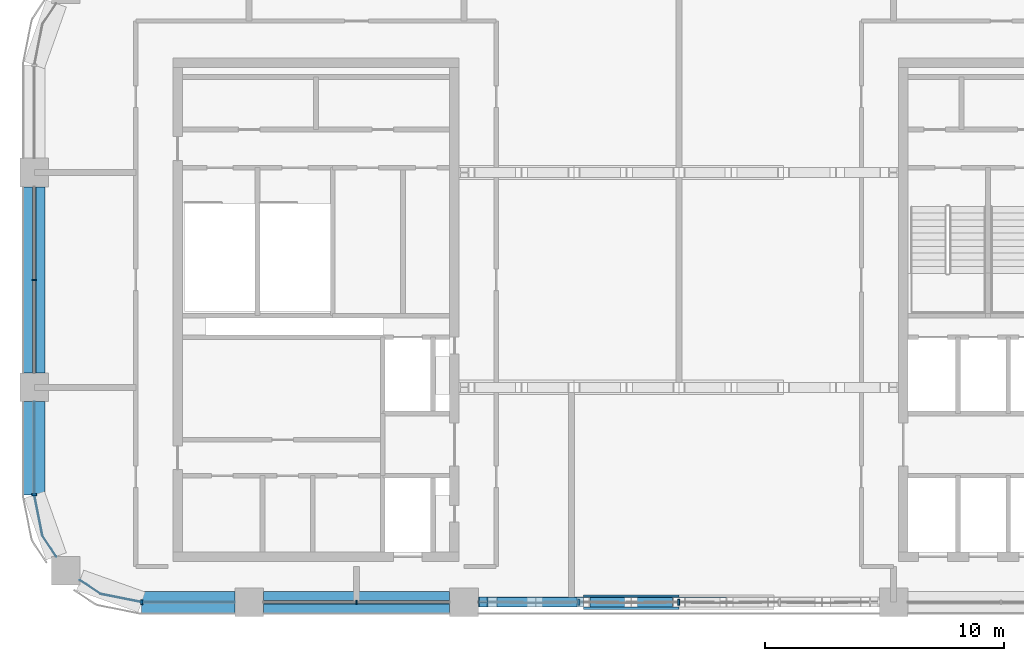
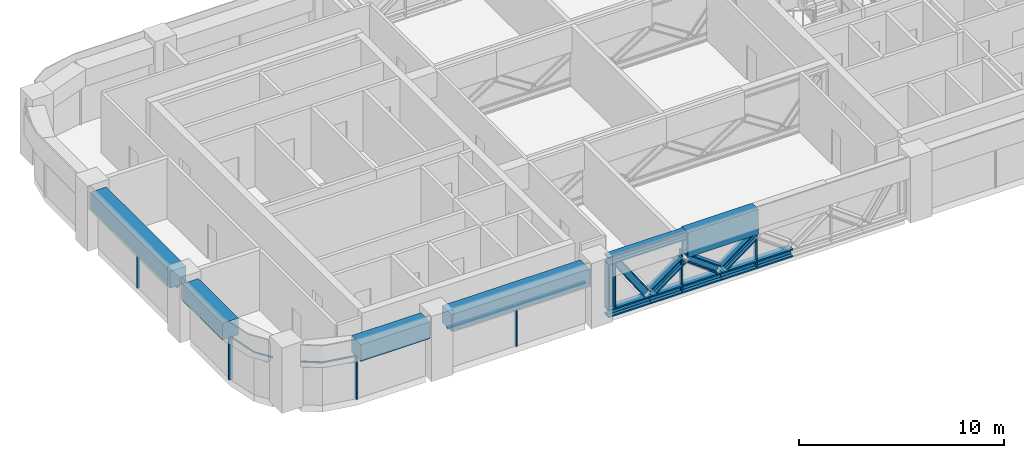
# One storey, part 2 of 12: 20 members, 4 beams, 5 elements without a shape of their own.
"""IFC4 building model written with IfcOpenShell, lengths in metres."""

from ifc_helpers import new_model, si_unit, direction, frame, origin, origin_2d, place, context, subcontext, project, spatial, polyline, rectangle, hollow_rectangle, i_section, outline, extrude, material, material_profile, profile_set, type_object, element, aggregate, save


model = new_model("IFC4")

# Units and contexts
model_context = context("Model", 3, precision=1e-05, world=origin(), true_north=direction((0.0, 1.0)))
body_context = subcontext(model_context, "Body", "Model", "MODEL_VIEW")
ifc_project = project(units=[si_unit("LENGTHUNIT", "METRE"), si_unit("AREAUNIT", "SQUARE_METRE"), si_unit("VOLUMEUNIT", "CUBIC_METRE"), si_unit("PLANEANGLEUNIT", "RADIAN"), si_unit("MASSUNIT", "GRAM", prefix="KILO")], contexts=[model_context])

# Site, building, storey
site_placement = place(None, origin())
site = spatial("IfcSite", under=ifc_project, at=site_placement, CompositionType="ELEMENT")
building_placement = place(site_placement, origin())
building = spatial("IfcBuilding", under=site, at=building_placement, Name="Tessera Arch", CompositionType="ELEMENT")
storey_placement = place(building_placement, frame((0.0, 0.0, 230.60009765625)))
storey = spatial("IfcBuildingStorey", under=building, at=storey_placement, Name="L55", CompositionType="ELEMENT", Elevation=230.60009765625)

# Member
ifc_material_1 = material(Name="Steel A572 Gr50", Category="steel")
ifc_material_profile_1 = material_profile(ifc_material_1, hollow_rectangle(XDim=0.60009765625, YDim=1.5, WallThickness=0.06005859375, at=origin_2d()), Name="BOX 600x1500x60")
ifc_profile_set_1 = profile_set([ifc_material_profile_1], Name="Steel A572 Gr50")
member_type_1 = type_object("IfcMemberType", Name="Bridge truss node girder BOX 600x1500x60", PredefinedType="CHORD", material=ifc_profile_set_1)
member_1_placement = place(storey_placement, frame((23.00830078125, 27.0, 2.849853515625), z_axis=(1.0, 0.0, 0.0), x_axis=(0.0, 1.0, 0.0)))
element("IfcMember", 1, at=member_1_placement, inside=storey, type_object=member_type_1, Name="Bridge truss node girder 2", PredefinedType="CHORD", context=body_context, shape_type="SweptSolid", body=[
    extrude(hollow_rectangle(XDim=0.60009765625, YDim=1.5, WallThickness=0.06005859375, at=origin_2d()), origin(), (0.0, 0.0, 1.0), 3.99169921875),
])

# Curtain wall, member
ifc_material_2 = material(Name="CW1 curtain wall")
curtain_wall_type_1 = type_object("IfcCurtainWallType", Name="CW1 curtain wall", PredefinedType="NOTDEFINED", material=ifc_material_2)
curtain_wall_1_placement = place(storey_placement, origin())
curtain_wall_1 = element("IfcCurtainWall", 2, at=curtain_wall_1_placement, inside=storey, type_object=curtain_wall_type_1, Name="CW1 curtain wall W0.27/1 L55", PredefinedType="NOTDEFINED")
ifc_material_3 = material(Name="Anodised aluminium pale metal", Category="aluminium")
ifc_material_profile_2 = material_profile(ifc_material_3, rectangle(XDim=0.159912109375, YDim=0.06005859375, at=origin_2d()), Name="AL 60x160")
ifc_profile_set_2 = profile_set([ifc_material_profile_2], Name="Anodised aluminium pale metal")
member_type_2 = type_object("IfcMemberType", Name="CW1 mullion", PredefinedType="MULLION", material=ifc_profile_set_2)
member_2_placement = place(storey_placement, frame((0.0, 40.5, 0.0), z_axis=(0.0, 0.0, 1.0), x_axis=(1.0, 0.0, 0.0)))
member_2 = element("IfcMember", 3, at=member_2_placement, type_object=member_type_2, Name="CW1 mullion W0.27/1 1", PredefinedType="MULLION", context=body_context, shape_type="SweptSolid", body=[
    extrude(rectangle(XDim=0.159912109375, YDim=0.06005859375, at=origin_2d()), origin(), (0.0, 0.0, 1.0), 2.389892578125),
])

curtain_wall_2_placement = place(storey_placement, origin())
curtain_wall_2 = element("IfcCurtainWall", 4, at=curtain_wall_2_placement, inside=storey, type_object=curtain_wall_type_1, Name="CW1 curtain wall S27.0/1 L55", PredefinedType="NOTDEFINED")
member_3_placement = place(storey_placement, frame((13.5, 27.0, 0.0), z_axis=(0.0, 0.0, 1.0), x_axis=(0.0, 1.0, 0.0)))
member_3 = element("IfcMember", 5, at=member_3_placement, type_object=member_type_2, Name="CW1 mullion S27.0/1 1", PredefinedType="MULLION", context=body_context, shape_type="SweptSolid", body=[
    extrude(rectangle(XDim=0.159912109375, YDim=0.06005859375, at=origin_2d()), origin(), (0.0, 0.0, 1.0), 2.389892578125),
])

# Member
ifc_material_4 = material(Name="Anodised aluminium pale metal", Category="aluminium")
ifc_material_profile_3 = material_profile(ifc_material_4, rectangle(XDim=0.159912109375, YDim=0.10009765625, at=origin_2d()), Name="AL 160x100")
ifc_profile_set_3 = profile_set([ifc_material_profile_3], Name="Anodised aluminium pale metal")
member_type_3 = type_object("IfcMemberType", Name="CW1 transom", PredefinedType="USERDEFINED", material=ifc_profile_set_3)
member_4_placement = place(storey_placement, frame((0.0, 44.39990234375, 2.43994140625), z_axis=(0.0, -1.0, 0.0), x_axis=(1.0, 0.0, 0.0)))
member_4 = element("IfcMember", 6, at=member_4_placement, type_object=member_type_3, Name="CW1 transom W0.27/1 1.1", ObjectType="TRANSOM", PredefinedType="USERDEFINED", context=body_context, shape_type="SweptSolid", body=[
    extrude(rectangle(XDim=0.159912109375, YDim=0.10009765625, at=origin_2d()), origin(), (0.0, 0.0, 1.0), 7.7998046875),
])

aggregate(curtain_wall_1, [member_2, member_4])

member_5_placement = place(storey_placement, frame((9.60009765625, 27.0, 2.43994140625), z_axis=(1.0, 0.0, 0.0), x_axis=(0.0, 1.0, 0.0)))
member_5 = element("IfcMember", 7, at=member_5_placement, type_object=member_type_3, Name="CW1 transom S27.0/1 1.1", ObjectType="TRANSOM", PredefinedType="USERDEFINED", context=body_context, shape_type="SweptSolid", body=[
    extrude(rectangle(XDim=0.159912109375, YDim=0.10009765625, at=origin_2d()), origin(), (0.0, 0.0, 1.0), 7.7998046875),
])

aggregate(curtain_wall_2, [member_3, member_5])

# Curtain wall, member
ifc_material_5 = material(Name="CW2 curtain wall")
curtain_wall_type_2 = type_object("IfcCurtainWallType", Name="CW2 curtain wall", PredefinedType="NOTDEFINED", material=ifc_material_5)
curtain_wall_3_placement = place(storey_placement, origin())
curtain_wall_3 = element("IfcCurtainWall", 8, at=curtain_wall_3_placement, inside=storey, type_object=curtain_wall_type_2, Name="CW2 curtain wall W0.27/2 L55", PredefinedType="NOTDEFINED")
ifc_material_6 = material(Name="Anodised aluminium pale metal", Category="aluminium")
ifc_material_profile_4 = material_profile(ifc_material_6, rectangle(XDim=0.199951171875, YDim=0.080078125, at=origin_2d()), Name="AL 80x200")
ifc_profile_set_4 = profile_set([ifc_material_profile_4], Name="Anodised aluminium pale metal")
member_type_4 = type_object("IfcMemberType", Name="CW2 mullion", PredefinedType="MULLION", material=ifc_profile_set_4)
member_6_placement = place(storey_placement, frame((0.0, 31.5, 0.0), z_axis=(0.0, 0.0, 1.0), x_axis=(1.0, 0.0, 0.0)))
member_6 = element("IfcMember", 9, at=member_6_placement, type_object=member_type_4, Name="CW2 mullion W0.27/2 1", PredefinedType="MULLION", context=body_context, shape_type="SweptSolid", body=[
    extrude(rectangle(XDim=0.199951171875, YDim=0.080078125, at=origin_2d()), origin(), (0.0, 0.0, 1.0), 2.5),
])

curtain_wall_4_placement = place(storey_placement, origin())
curtain_wall_4 = element("IfcCurtainWall", 10, at=curtain_wall_4_placement, inside=storey, type_object=curtain_wall_type_2, Name="CW2 curtain wall S27.0/0 L55", PredefinedType="NOTDEFINED")
member_7_placement = place(storey_placement, frame((4.5, 27.0, 0.0), z_axis=(0.0, 0.0, 1.0), x_axis=(0.0, 1.0, 0.0)))
member_7 = element("IfcMember", 11, at=member_7_placement, type_object=member_type_4, Name="CW2 mullion S27.0/0 1", PredefinedType="MULLION", context=body_context, shape_type="SweptSolid", body=[
    extrude(rectangle(XDim=0.199951171875, YDim=0.080078125, at=origin_2d()), origin(), (0.0, 0.0, 1.0), 2.5),
])

# Member
ifc_material_7 = material(Name="Anodised aluminium pale metal", Category="aluminium")
ifc_material_profile_5 = material_profile(ifc_material_7, rectangle(XDim=0.199951171875, YDim=0.10009765625, at=origin_2d()), Name="AL 200x100")
ifc_profile_set_5 = profile_set([ifc_material_profile_5], Name="Anodised aluminium pale metal")
member_type_5 = type_object("IfcMemberType", Name="CW2 transom", PredefinedType="USERDEFINED", material=ifc_profile_set_5)
member_8_placement = place(storey_placement, frame((0.0, 0.0, 2.5)))
member_8 = element("IfcMember", 12, at=member_8_placement, type_object=member_type_5, Name="CW2 transom W0.27/2 1", ObjectType="TRANSOM", PredefinedType="USERDEFINED", context=body_context, shape_type="SweptSolid", body=[
    extrude(outline(polyline([(0.010009765625, 31.5009765625), (0.010009765625, 35.39990234375), (-0.010009765625, 35.39990234375), (-0.010009765625, 31.4990234375), (0.3330078125, 29.77392578125), (0.90869140625, 28.912353515625), (0.92529296875, 28.923583984375), (0.351806640625, 29.78173828125), (0.010009765625, 31.5009765625)])), origin(), (0.0, 0.0, 1.0), 0.099853515625),
])

aggregate(curtain_wall_3, [member_6, member_8])

member_9_placement = place(storey_placement, frame((0.0, 0.0, 2.5)))
member_9 = element("IfcMember", 13, at=member_9_placement, type_object=member_type_5, Name="CW2 transom S27.0/0 1", ObjectType="TRANSOM", PredefinedType="USERDEFINED", context=body_context, shape_type="SweptSolid", body=[
    extrude(outline(polyline([(2.78173828125, 27.351806640625), (1.923583984375, 27.92529296875), (1.912353515625, 27.90869140625), (2.77392578125, 27.3330078125), (4.4990234375, 26.989990234375), (8.39990234375, 26.989990234375), (8.39990234375, 27.010009765625), (4.5009765625, 27.010009765625), (2.78173828125, 27.351806640625)])), origin(), (0.0, 0.0, 1.0), 0.099853515625),
])

aggregate(curtain_wall_4, [member_7, member_9])

# Curtain wall, members
ifc_material_8 = material(Name="CW4 curtain wall")
curtain_wall_type_3 = type_object("IfcCurtainWallType", Name="CW4 curtain wall", PredefinedType="NOTDEFINED", material=ifc_material_8)
curtain_wall_5_placement = place(storey_placement, origin())
curtain_wall_5 = element("IfcCurtainWall", 14, at=curtain_wall_5_placement, inside=storey, type_object=curtain_wall_type_3, Name="CW4 curtain wall S27.0/2 L55", PredefinedType="NOTDEFINED")
ifc_material_9 = material(Name="Anodised aluminium pale metal", Category="aluminium")
ifc_material_profile_6 = material_profile(ifc_material_9, rectangle(XDim=0.25, YDim=0.080078125, at=origin_2d()), Name="AL 80x250")
ifc_profile_set_6 = profile_set([ifc_material_profile_6], Name="Anodised aluminium pale metal")
member_type_6 = type_object("IfcMemberType", Name="CW4 mullion", PredefinedType="MULLION", material=ifc_profile_set_6)
member_10_placement = place(storey_placement, frame((22.800048828125, 27.0, 0.0), z_axis=(0.0, 0.0, 1.0), x_axis=(0.0, 1.0, 0.0)))
member_10 = element("IfcMember", 15, at=member_10_placement, type_object=member_type_6, Name="CW4 mullion S27.0/2 1", PredefinedType="MULLION", context=body_context, shape_type="SweptSolid", body=[
    extrude(rectangle(XDim=0.25, YDim=0.080078125, at=origin_2d()), origin(), (0.0, 0.0, 1.0), 2.47998046875),
])
member_11_placement = place(storey_placement, frame((27.0, 27.0, 0.0), z_axis=(0.0, 0.0, 1.0), x_axis=(0.0, 1.0, 0.0)))
member_11 = element("IfcMember", 16, at=member_11_placement, type_object=member_type_6, Name="CW4 mullion S27.0/2 2", PredefinedType="MULLION", context=body_context, shape_type="SweptSolid", body=[
    extrude(rectangle(XDim=0.25, YDim=0.080078125, at=origin_2d()), origin(), (0.0, 0.0, 1.0), 2.47998046875),
])
aggregate(curtain_wall_5, [member_10, member_11])

# Beams
ifc_material_10 = material(Name="Concrete C60/75", Category="concrete")
ifc_material_profile_7 = material_profile(ifc_material_10, rectangle(XDim=0.89990234375, YDim=1.0, at=origin_2d()), Name="RC spandrel beam 900 x 1000 Concrete C60/75")
ifc_profile_set_7 = profile_set([ifc_material_profile_7], Name="Concrete C60/75")
beam_type = type_object("IfcBeamType", Name="RC spandrel beam 900 x 1000 Concrete C60/75", PredefinedType="BEAM", material=ifc_profile_set_7)
beam_1_placement = place(storey_placement, frame((0.0, 44.39990234375, 2.989990234375), z_axis=(0.0, -1.0, 0.0), x_axis=(1.0, 0.0, 0.0)))
element("IfcBeam", 17, at=beam_1_placement, inside=storey, type_object=beam_type, Name="Spandrel beam L55 W0.27/1", PredefinedType="BEAM", context=body_context, shape_type="SweptSolid", body=[
    extrude(rectangle(XDim=0.89990234375, YDim=1.0, at=origin_2d()), origin(), (0.0, 0.0, 1.0), 7.7998046875),
])
for number, where, z_axis, x_axis, name in (
    (18, (0.0, 35.39990234375, 2.989990234375), (0.0, -1.0, 0.0), (1.0, 0.0, 0.0), "Spandrel beam L55 W0.27/2.1"),
    (19, (4.5, 27.0, 2.989990234375), (1.0, 0.0, 0.0), (0.0, 1.0, 0.0), "Spandrel beam L55 S27.0/0.2"),
):
    element("IfcBeam", number, at=place(storey_placement, frame(where, z_axis=z_axis, x_axis=x_axis)), inside=storey, type_object=beam_type, Name=name, PredefinedType="BEAM", context=body_context, shape_type="SweptSolid", body=[
        extrude(rectangle(XDim=0.89990234375, YDim=1.0, at=origin_2d()), origin(), (0.0, 0.0, 1.0), 3.89990234375),
    ])
beam_2_placement = place(storey_placement, frame((9.60009765625, 27.0, 2.989990234375), z_axis=(1.0, 0.0, 0.0), x_axis=(0.0, 1.0, 0.0)))
element("IfcBeam", 20, at=beam_2_placement, inside=storey, type_object=beam_type, Name="Spandrel beam L55 S27.0/1", PredefinedType="BEAM", context=body_context, shape_type="SweptSolid", body=[
    extrude(rectangle(XDim=0.89990234375, YDim=1.0, at=origin_2d()), origin(), (0.0, 0.0, 1.0), 7.7998046875),
])

# Members
ifc_material_11 = material(Name="Steel A992 Gr50", Category="steel")
ifc_material_profile_8 = material_profile(ifc_material_11, i_section(OverallWidth=0.424072265625, OverallDepth=0.47412109375, WebThickness=0.047607421875, FlangeThickness=0.0771484375, at=origin_2d()), Name="W14x426")
ifc_profile_set_8 = profile_set([ifc_material_profile_8], Name="Steel A992 Gr50")
member_type_7 = type_object("IfcMemberType", Name="Truss chord W14x426", PredefinedType="CHORD", material=ifc_profile_set_8)
member_12_placement = place(storey_placement, frame((18.60009765625, 27.0, 3.36279296875), z_axis=(1.0, 0.0, 0.0), x_axis=(0.0, 1.0, 0.0)))
element("IfcMember", 21, at=member_12_placement, inside=storey, type_object=member_type_7, Name="Bridge truss top chord 1", PredefinedType="CHORD", context=body_context, shape_type="SweptSolid", body=[
    extrude(i_section(OverallWidth=0.424072265625, OverallDepth=0.47412109375, WebThickness=0.047607421875, FlangeThickness=0.0771484375, at=origin_2d()), origin(), (0.0, 0.0, 1.0), 4.408203125),
])
member_13_placement = place(storey_placement, frame((18.60009765625, 27.0, 0.237060546875), z_axis=(1.0, 0.0, 0.0), x_axis=(0.0, 1.0, 0.0)))
element("IfcMember", 22, at=member_13_placement, inside=storey, type_object=member_type_7, Name="Bridge truss bottom chord 1", PredefinedType="CHORD", context=body_context, shape_type="SweptSolid", body=[
    extrude(i_section(OverallWidth=0.424072265625, OverallDepth=0.47412109375, WebThickness=0.047607421875, FlangeThickness=0.0771484375, at=origin_2d()), origin(), (0.0, 0.0, 1.0), 2.412353515625),
])
for number, where, z_axis, x_axis, name in (
    (23, (21.012451171875, 27.0, 0.237060546875), (1.0, 0.0, 0.0), (0.0, 1.0, 0.0), "Bridge truss bottom chord 2"),
    (24, (25.004150390625, 27.0, 0.237060546875), (1.0, 0.0, 0.0), (0.0, 1.0, 0.0), "Bridge truss bottom chord 3"),
):
    element("IfcMember", number, at=place(storey_placement, frame(where, z_axis=z_axis, x_axis=x_axis)), inside=storey, type_object=member_type_7, Name=name, PredefinedType="CHORD", context=body_context, shape_type="SweptSolid", body=[
        extrude(i_section(OverallWidth=0.424072265625, OverallDepth=0.47412109375, WebThickness=0.047607421875, FlangeThickness=0.0771484375, at=origin_2d()), origin(), (0.0, 0.0, 1.0), 3.99169921875),
    ])
ifc_material_12 = material(Name="Steel A992 Gr50", Category="steel")
ifc_material_profile_9 = material_profile(ifc_material_12, i_section(OverallWidth=0.411376953125, OverallDepth=0.434326171875, WebThickness=0.035888671875, FlangeThickness=0.057373046875, at=origin_2d()), Name="W14x311")
ifc_profile_set_9 = profile_set([ifc_material_profile_9], Name="Steel A992 Gr50")
member_type_8 = type_object("IfcMemberType", Name="Truss diagonal W14x311", PredefinedType="BRACE", material=ifc_profile_set_9)
member_14_placement = place(storey_placement, frame((19.206298828125, 27.0, 2.98876953125), z_axis=(0.562221758703, 0.0, -0.826986513821), x_axis=(0.0, 1.0, 0.0)))
element("IfcMember", 25, at=member_14_placement, inside=storey, type_object=member_type_8, Name="Bridge truss diagonal 1", PredefinedType="BRACE", context=body_context, shape_type="SweptSolid", body=[
    extrude(i_section(OverallWidth=0.411376953125, OverallDepth=0.434326171875, WebThickness=0.035888671875, FlangeThickness=0.057373046875, at=origin_2d()), origin(), (0.0, 0.0, 1.0), 2.875),
])
member_15_placement = place(storey_placement, frame((21.155517578125, 27.0, 0.659912109375), z_axis=(0.80636473205, 0.0, 0.591418564898), x_axis=(0.0, 1.0, 0.0)))
element("IfcMember", 26, at=member_15_placement, inside=storey, type_object=member_type_8, Name="Bridge truss diagonal 2", PredefinedType="BRACE", context=body_context, shape_type="SweptSolid", body=[
    extrude(i_section(OverallWidth=0.411376953125, OverallDepth=0.434326171875, WebThickness=0.035888671875, FlangeThickness=0.057373046875, at=origin_2d()), origin(), (0.0, 0.0, 1.0), 2.12060546875),
])
for number, where, z_axis, x_axis, name in (
    (27, (23.1513671875, 27.0, 1.9140625), (0.80632445703, 0.0, -0.59147347362), (0.0, 1.0, 0.0), "Bridge truss diagonal 3"),
    (28, (25.147216796875, 27.0, 0.659912109375), (0.80632445703, 0.0, 0.59147347362), (0.0, 1.0, 0.0), "Bridge truss diagonal 4"),
):
    element("IfcMember", number, at=place(storey_placement, frame(where, z_axis=z_axis, x_axis=x_axis)), inside=storey, type_object=member_type_8, Name=name, PredefinedType="BRACE", context=body_context, shape_type="SweptSolid", body=[
        extrude(i_section(OverallWidth=0.411376953125, OverallDepth=0.434326171875, WebThickness=0.035888671875, FlangeThickness=0.057373046875, at=origin_2d()), origin(), (0.0, 0.0, 1.0), 2.120361328125),
    ])
ifc_material_13 = material(Name="Steel A992 Gr50", Category="steel")
ifc_material_profile_10 = material_profile(ifc_material_13, i_section(OverallWidth=0.406494140625, OverallDepth=0.41650390625, WebThickness=0.030029296875, FlangeThickness=0.048095703125, at=origin_2d()), Name="W14x257")
ifc_profile_set_10 = profile_set([ifc_material_profile_10], Name="Steel A992 Gr50")
member_type_9 = type_object("IfcMemberType", Name="Truss post W14x257", PredefinedType="POST", material=ifc_profile_set_10)
member_16_placement = place(storey_placement, frame((18.808349609375, 27.0, 0.47412109375), z_axis=(0.0, 0.0, 1.0), x_axis=(0.0, 1.0, 0.0)))
element("IfcMember", 29, at=member_16_placement, inside=storey, type_object=member_type_9, Name="Bridge truss end post 1", PredefinedType="POST", context=body_context, shape_type="SweptSolid", body=[
    extrude(i_section(OverallWidth=0.406494140625, OverallDepth=0.41650390625, WebThickness=0.030029296875, FlangeThickness=0.048095703125, at=origin_2d()), origin(), (0.0, 0.0, 1.0), 2.651611328125),
])

save(model, "model.ifc")
